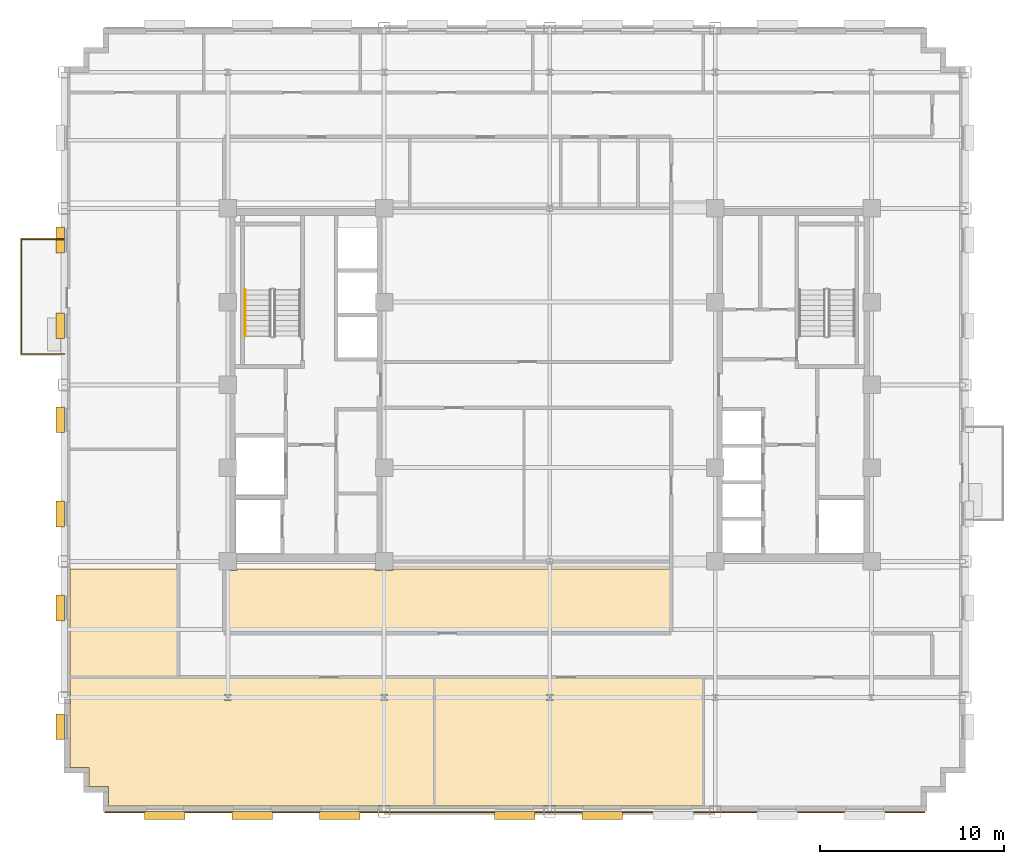
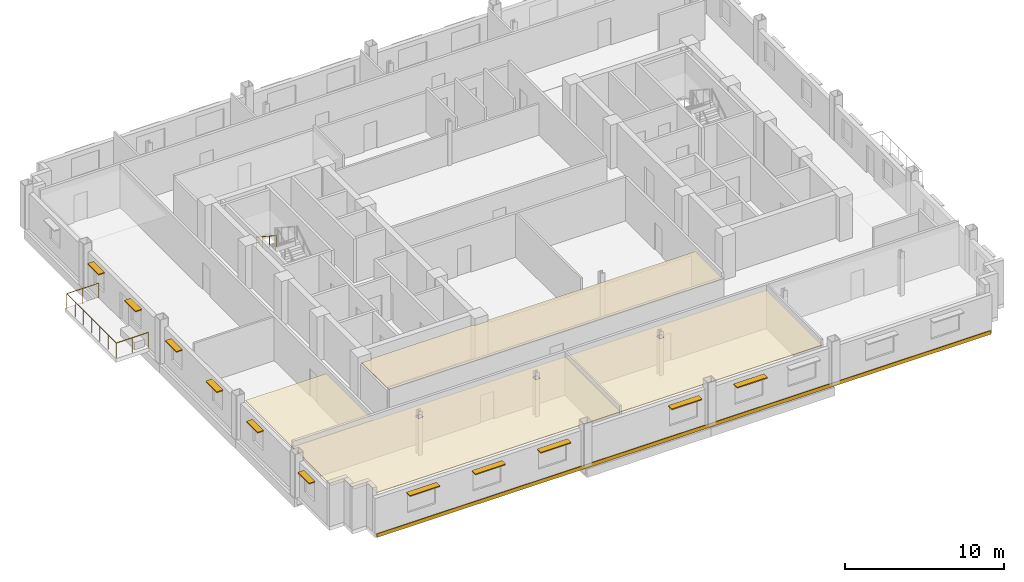
# One storey, part 11 of 14: 11 shading devices, 5 coverings, 2 railings.
"""IFC4 building model written with IfcOpenShell, lengths in metres."""

import ifcopenshell
import ifcopenshell.guid

model = None  # the IFC model being written
_history = None  # IfcOwnerHistory: only IFC2X3 demands one
_inside = {}  # id of a spatial element -> (the spatial element, [elements in it])
_under = {}  # id of a project, library or spatial element -> (it, [spatial elements below it])
_declared = {}  # id of a project -> (the project, [libraries it declares])
_typed = {}  # id of a type object -> (the type object, [elements of that type])
_made_of = {}  # id of a material, layer set ... -> (it, [elements and type objects made of it])


def new_model(schema):
    """Start an empty IFC model of exactly this schema.

    Asked for "IFC4X3", IfcOpenShell would pick the latest addendum, in which some entities
    have other attributes; the version numbers below select the first issue.
    IFC2X3 requires an IfcOwnerHistory on every rooted entity: one is made here for all.
    """
    global model, _history
    if schema == "IFC4X3":
        model = ifcopenshell.file(schema_version=(4, 3, 0, 0))
    else:
        model = ifcopenshell.file(schema=schema)
    _inside.clear()
    _under.clear()
    _declared.clear()
    _typed.clear()
    _made_of.clear()
    _history = None
    if model.schema == "IFC2X3":
        org = make("IfcOrganization", Name="unknown")
        user = make(
            "IfcPersonAndOrganization",
            ThePerson=make("IfcPerson", FamilyName="unknown"),
            TheOrganization=org,
        )
        app = make(
            "IfcApplication",
            ApplicationDeveloper=org,
            Version="unknown",
            ApplicationFullName="unknown",
            ApplicationIdentifier="unknown",
        )
        _history = make(
            "IfcOwnerHistory",
            OwningUser=user,
            OwningApplication=app,
            ChangeAction="ADDED",
            CreationDate=0,
        )
    return model


def make(cls, **values):
    """One entity of the class cls with the attributes given. An attribute that is None is left unset."""
    return model.create_entity(
        cls, **{name: value for name, value in values.items() if value is not None}
    )


def rooted(cls, **values):
    """An entity with a GlobalId (a new one), such as an element, a storey or a relation."""
    return make(cls, GlobalId=ifcopenshell.guid.new(), OwnerHistory=_history, **values)


def si_unit(unit_type, name, prefix=None):
    """IfcSIUnit, for example si_unit("LENGTHUNIT", "METRE", prefix="MILLI")."""
    return make("IfcSIUnit", UnitType=unit_type, Prefix=prefix, Name=name)


def assignment(units):
    """IfcUnitAssignment: the units of a project."""
    return None if units is None else make("IfcUnitAssignment", Units=units)


def point(xyz):
    """IfcCartesianPoint."""
    return None if xyz is None else make("IfcCartesianPoint", Coordinates=xyz)


def direction(xyz):
    """IfcDirection."""
    return None if xyz is None else make("IfcDirection", DirectionRatios=xyz)


def frame(location, z_axis=None, x_axis=None):
    """IfcAxis2Placement3D, a coordinate frame: its origin and axes. An axis left out is left unset."""
    return make(
        "IfcAxis2Placement3D",
        Location=point(location),
        Axis=direction(z_axis),
        RefDirection=direction(x_axis),
    )


def frame_2d(location, x_axis=None):
    """IfcAxis2Placement2D, a coordinate frame in the plane: its origin and x axis."""
    return make(
        "IfcAxis2Placement2D", Location=point(location), RefDirection=direction(x_axis)
    )


def origin():
    """The frame at (0, 0, 0) with its axes left unset."""
    return frame((0.0, 0.0, 0.0))


def origin_2d():
    """The frame at (0, 0) in the plane with its x axis left unset."""
    return frame_2d((0.0, 0.0))


def place(relative_to, where):
    """IfcLocalPlacement: puts the frame where relative to a parent placement (None: the world)."""
    return make(
        "IfcLocalPlacement", PlacementRelTo=relative_to, RelativePlacement=where
    )


def context(
    kind, dimensions, precision=None, world=None, true_north=None, identifier=None
):
    """IfcGeometricRepresentationContext, for example the 3D "Model" context."""
    return make(
        "IfcGeometricRepresentationContext",
        ContextIdentifier=identifier,
        ContextType=kind,
        CoordinateSpaceDimension=dimensions,
        Precision=precision,
        WorldCoordinateSystem=world,
        TrueNorth=true_north,
    )


def subcontext(parent, identifier, kind, view, scale=None):
    """IfcGeometricRepresentationSubContext, for example "Body" below "Model"."""
    return make(
        "IfcGeometricRepresentationSubContext",
        ContextIdentifier=identifier,
        ContextType=kind,
        ParentContext=parent,
        TargetScale=scale,
        TargetView=view,
    )


def project(units=None, contexts=None):
    """IfcProject with its units and contexts."""
    return rooted(
        "IfcProject",
        Name="project",
        RepresentationContexts=contexts,
        UnitsInContext=assignment(units),
    )


def spatial(cls, under=None, at=None, **own):
    """A site, building, storey or space (cls), placed at a placement, below another one or the project."""
    s = rooted(cls, ObjectPlacement=at, **own)
    if under is not None:
        _under.setdefault(under.id(), (under, []))[1].append(s)
    return s


def polyline(points):
    """IfcPolyline through the points."""
    return make("IfcPolyline", Points=[point(p) for p in points])


def profile(cls, at=None, kind="AREA", **sizes):
    """A parametric profile (cls). Its sizes go by their IFC names, for example OverallWidth=200.0."""
    return make(cls, ProfileType=kind, Position=at, **sizes)


def rectangle(**sizes):
    """IfcRectangleProfileDef."""
    return profile("IfcRectangleProfileDef", **sizes)


def circle(**sizes):
    """IfcCircleProfileDef."""
    return profile("IfcCircleProfileDef", **sizes)


def outline(outer, holes=None, kind="AREA"):
    """IfcArbitraryClosedProfileDef: a profile drawn as a closed curve; with holes, ...WithVoids."""
    if holes is None:
        return make("IfcArbitraryClosedProfileDef", ProfileType=kind, OuterCurve=outer)
    return make(
        "IfcArbitraryProfileDefWithVoids",
        ProfileType=kind,
        OuterCurve=outer,
        InnerCurves=holes,
    )


def extrude(swept, where, along, depth):
    """IfcExtrudedAreaSolid: the profile swept, set in the frame where, extruded along a direction by depth."""
    return make(
        "IfcExtrudedAreaSolid",
        SweptArea=swept,
        Position=where,
        ExtrudedDirection=direction(along),
        Depth=depth,
    )


def shape(context_of_items, identifier, shape_type, items):
    """IfcShapeRepresentation: the items that make up one representation, for example the "Body"."""
    return make(
        "IfcShapeRepresentation",
        ContextOfItems=context_of_items,
        RepresentationIdentifier=identifier,
        RepresentationType=shape_type,
        Items=items,
    )


def source(mapping_origin, context_of_items, identifier, shape_type, items):
    """IfcRepresentationMap: a shape defined once, which mapped items show again and again."""
    return make(
        "IfcRepresentationMap",
        MappingOrigin=mapping_origin,
        MappedRepresentation=shape(context_of_items, identifier, shape_type, items),
    )


def transform(
    local_origin,
    x_axis=None,
    y_axis=None,
    z_axis=None,
    scale=None,
    scale2=None,
    scale3=None,
    uniform=True,
):
    """IfcCartesianTransformationOperator3D, or its non-uniform kind. x_axis, y_axis, z_axis: its Axis1, 2, 3."""
    if uniform:
        return make(
            "IfcCartesianTransformationOperator3D",
            Axis1=direction(x_axis),
            Axis2=direction(y_axis),
            LocalOrigin=point(local_origin),
            Scale=scale,
            Axis3=direction(z_axis),
        )
    return make(
        "IfcCartesianTransformationOperator3DnonUniform",
        Axis1=direction(x_axis),
        Axis2=direction(y_axis),
        LocalOrigin=point(local_origin),
        Scale=scale,
        Axis3=direction(z_axis),
        Scale2=scale2,
        Scale3=scale3,
    )


def mapped(mapping_source, mapping_target):
    """IfcMappedItem: shows the shape of a source again, moved by a transform."""
    return make(
        "IfcMappedItem", MappingSource=mapping_source, MappingTarget=mapping_target
    )


def material(Name=None, Category=None):
    """IfcMaterial."""
    return make("IfcMaterial", Name=Name, Category=Category)


def layer(
    of_material, thickness, ventilated=None, Name=None, Category=None, Priority=None
):
    """IfcMaterialLayer: one layer of a wall or slab, of a material (None: an air gap)."""
    return make(
        "IfcMaterialLayer",
        Material=of_material,
        LayerThickness=thickness,
        IsVentilated=ventilated,
        Name=Name,
        Category=Category,
        Priority=Priority,
    )


def layer_set(layers, Name=None):
    """IfcMaterialLayerSet."""
    return make("IfcMaterialLayerSet", MaterialLayers=layers, LayerSetName=Name)


def made_of(thing, what):
    """Note that an element or type object is made of a material, layer set ...; save() writes the relation."""
    if what is not None:
        _made_of.setdefault(what.id(), (what, []))[1].append(thing)
    return thing


def type_object(cls, material=None, **own):
    """A type object (cls), such as IfcWallType, which elements share."""
    return made_of(rooted(cls, **own), material)


def type_shapes(of_type, sources):
    """Give a type object the sources (RepresentationMaps) that its elements show as mapped items."""
    of_type.RepresentationMaps = sources


def element(
    cls,
    number,
    at=None,
    inside=None,
    cuts=None,
    type_object=None,
    material=None,
    context=None,
    identifier="Body",
    shape_type=None,
    held_by="IfcProductDefinitionShape",
    body=None,
    shapes=None,
    **own,
):
    """One element of the class cls, such as IfcWall. Its Tag is "e" and its number.

    at: its placement. inside: the storey or other place that contains it. cuts: it is an
    opening in that element (IfcRelVoidsElement). A single representation is given by context,
    identifier, shape_type and body (its items); several are given by shapes. held_by: the class
    of the entity that holds the representations. save() writes the other relations.
    """
    e = rooted(cls, Tag="e%d" % number, ObjectPlacement=at, **own)
    if body is not None:
        shapes = [shape(context, identifier, shape_type, body)]
    if shapes is not None:
        e.Representation = make(held_by, Representations=shapes)
    if inside is not None:
        _inside.setdefault(inside.id(), (inside, []))[1].append(e)
    if cuts is not None:
        rooted(
            "IfcRelVoidsElement", RelatingBuildingElement=cuts, RelatedOpeningElement=e
        )
    if type_object is not None:
        _typed.setdefault(type_object.id(), (type_object, []))[1].append(e)
    return made_of(e, material)


def aggregate(whole, parts):
    """IfcRelAggregates: a whole, such as a stair, and the parts it consists of."""
    return rooted("IfcRelAggregates", RelatingObject=whole, RelatedObjects=parts)


def save(model, path):
    """Write the relations noted so far, then the file.

    IfcRelAggregates (storeys below a building ...), IfcRelContainedInSpatialStructure (elements
    in a storey), IfcRelDefinesByType, IfcRelAssociatesMaterial and IfcRelDeclares: one each for
    every whole, place, type object, material and project.
    """
    for whole, parts in _under.values():
        aggregate(whole, parts)
    for where, things in _inside.values():
        rooted(
            "IfcRelContainedInSpatialStructure",
            RelatedElements=things,
            RelatingStructure=where,
        )
    for kind, things in _typed.values():
        rooted("IfcRelDefinesByType", RelatedObjects=things, RelatingType=kind)
    for what, things in _made_of.values():
        rooted("IfcRelAssociatesMaterial", RelatedObjects=things, RelatingMaterial=what)
    for by, libraries in _declared.values():
        rooted("IfcRelDeclares", RelatingContext=by, RelatedDefinitions=libraries)
    model.write(path)


model = new_model("IFC4")

# Units and contexts
model_context = context("Model", 3, precision=1e-05, world=origin(), true_north=direction((0.0, 1.0)))
body_context = subcontext(model_context, "Body", "Model", "MODEL_VIEW")
ifc_project = project(units=[si_unit("LENGTHUNIT", "METRE"), si_unit("AREAUNIT", "SQUARE_METRE"), si_unit("VOLUMEUNIT", "CUBIC_METRE"), si_unit("PLANEANGLEUNIT", "RADIAN"), si_unit("MASSUNIT", "GRAM", prefix="KILO")], contexts=[model_context])

# Site, building, storey
site_placement = place(None, origin())
site = spatial("IfcSite", under=ifc_project, at=site_placement, CompositionType="ELEMENT")
building_placement = place(site_placement, origin())
building = spatial("IfcBuilding", under=site, at=building_placement, Name="Nuvemarco Arch Tower", CompositionType="ELEMENT")
storey_placement = place(building_placement, frame((0.0, 0.0, 171.300048828125)))
storey = spatial("IfcBuildingStorey", under=building, at=storey_placement, Name="L45", CompositionType="ELEMENT", Elevation=171.300048828125)

# Coverings
ifc_material_1 = material(Name="Mineral acoustic ceiling tile")
ifc_layer_1 = layer(ifc_material_1, 0.0400390625, Name="COV-ACOUSTIC-CLG")
ifc_layer_set_1 = layer_set([ifc_layer_1], Name="Mineral acoustic ceiling tile")
covering_type_1 = type_object("IfcCoveringType", Name="COV-ACOUSTIC-CLG", PredefinedType="CEILING", material=ifc_layer_set_1)
covering_1_placement = place(storey_placement, frame((0.0, 0.0, 2.849853515625)))
element("IfcCovering", 1, at=covering_1_placement, inside=storey, type_object=covering_type_1, Name="L45 suspended acoustic ceiling 1", PredefinedType="CEILING", context=body_context, shape_type="SweptSolid", body=[
    extrude(outline(polyline([(-26.090087890625, -20.7900390625), (-26.090087890625, -17.340087890625), (-26.06005859375, -17.340087890625), (-26.06005859375, -16.659912109375), (-26.090087890625, -16.659912109375), (-26.090087890625, -15.89990234375), (-20.199951171875, -15.89990234375), (-17.699951171875, -15.89990234375), (-6.280029296875, -15.89990234375), (-6.280029296875, -22.889892578125), (-8.659912109375, -22.889892578125), (-8.659912109375, -22.860107421875), (-9.340087890625, -22.860107421875), (-9.340087890625, -22.889892578125), (-23.989990234375, -22.889892578125), (-23.989990234375, -21.840087890625), (-25.0400390625, -21.840087890625), (-25.0400390625, -20.7900390625), (-26.090087890625, -20.7900390625)]), holes=[polyline([(-17.330078125, -16.830078125), (-17.669921875, -16.830078125), (-17.669921875, -17.169921875), (-17.330078125, -17.169921875), (-17.330078125, -16.830078125)]), polyline([(-8.830078125, -17.169921875), (-8.830078125, -16.830078125), (-9.169921875, -16.830078125), (-9.169921875, -17.169921875), (-8.830078125, -17.169921875)])]), origin(), (0.0, 0.0, 1.0), 0.0400390625),
])
covering_2_placement = place(storey_placement, frame((0.0, 0.0, 2.849853515625)))
element("IfcCovering", 2, at=covering_2_placement, inside=storey, type_object=covering_type_1, Name="L45 suspended acoustic ceiling 4", PredefinedType="CEILING", context=body_context, shape_type="SweptSolid", body=[
    extrude(outline(polyline([(8.35009765625, -22.889892578125), (0.340087890625, -22.889892578125), (0.340087890625, -22.860107421875), (-0.340087890625, -22.860107421875), (-0.340087890625, -22.889892578125), (-6.280029296875, -22.889892578125), (-6.280029296875, -15.89990234375), (6.60009765625, -15.89990234375), (8.35009765625, -15.89990234375), (8.35009765625, -22.889892578125)]), holes=[polyline([(0.169921875, -17.169921875), (0.169921875, -16.830078125), (-0.169921875, -16.830078125), (-0.169921875, -17.169921875), (0.169921875, -17.169921875)])]), origin(), (0.0, 0.0, 1.0), 0.0400390625),
])
covering_3_placement = place(storey_placement, frame((0.0, 0.0, 2.849853515625)))
element("IfcCovering", 3, at=covering_3_placement, inside=storey, type_object=covering_type_1, Name="L45 suspended acoustic ceiling 5", PredefinedType="CEILING", context=body_context, shape_type="SweptSolid", body=[
    extrude(outline(polyline([(-9.489990234375, -10.090087890625), (-8.510009765625, -10.090087890625), (-8.510009765625, -10.0), (6.60009765625, -10.0), (6.60009765625, -13.5), (-17.699951171875, -13.5), (-17.699951171875, -10.090087890625), (-17.010009765625, -10.090087890625), (-17.010009765625, -10.0), (-9.489990234375, -10.0), (-9.489990234375, -10.090087890625)])), origin(), (0.0, 0.0, 1.0), 0.0400390625),
])
covering_4_placement = place(storey_placement, frame((0.0, 0.0, 2.849853515625)))
element("IfcCovering", 4, at=covering_4_placement, inside=storey, type_object=covering_type_1, Name="L45 suspended acoustic ceiling 7", PredefinedType="CEILING", context=body_context, shape_type="SweptSolid", body=[
    extrude(outline(polyline([(-20.199951171875, -13.5), (-20.199951171875, -15.89990234375), (-26.090087890625, -15.89990234375), (-26.090087890625, -10.0), (-20.199951171875, -10.0), (-20.199951171875, -13.5)])), origin(), (0.0, 0.0, 1.0), 0.0400390625),
])

# Railings
ifc_material_2 = material(Name="Brushed stainless steel handrail", Category="steel")
railing_type_1 = type_object("IfcRailingType", Name="RL-HANDRAIL-900", PredefinedType="HANDRAIL", material=ifc_material_2)
railing_1_placement = place(storey_placement, frame((-16.550048828125, 5.169921875, 2.007568359375)))
element("IfcRailing", 5, at=railing_1_placement, inside=storey, type_object=railing_type_1, Name="L45 ST-1 stair handrail 2", PredefinedType="HANDRAIL", context=body_context, shape_type="SweptSolid", body=[
    extrude(circle(Radius=0.02392578125, at=origin_2d()), frame((0.0, 0.0, 0.8759765625), z_axis=(0.0, -0.837786554691, 0.545997883492), x_axis=(1.0, 0.0, 0.0)), (0.0, 0.0, 1.0), 3.008056640625),
    extrude(circle(Radius=0.02099609375, at=origin_2d()), origin(), (0.0, 0.0, 1.0), 0.851806640625),
    extrude(circle(Radius=0.02099609375, at=origin_2d()), frame((0.0, -0.840087890625, 0.54736328125)), (0.0, 0.0, 1.0), 0.851806640625),
    extrude(circle(Radius=0.02099609375, at=origin_2d()), frame((0.0, -1.679931640625, 1.094970703125)), (0.0, 0.0, 1.0), 0.851806640625),
    extrude(circle(Radius=0.02099609375, at=origin_2d()), frame((0.0, -2.52001953125, 1.642333984375)), (0.0, 0.0, 1.0), 0.851806640625),
])
ifc_material_3 = material(Name="Dark anodised balustrade steel S355", Category="steel")
railing_type_2 = type_object("IfcRailingType", Name="RL-TERR-GUARD", PredefinedType="BALUSTRADE", material=ifc_material_3)
railing_2_placement = place(storey_placement, frame((-26.39990234375, 1.679931640625, 0.0)))
element("IfcRailing", 6, at=railing_2_placement, inside=storey, type_object=railing_type_2, Name="L45 spiral terrace perimeter balustrade guard", PredefinedType="BALUSTRADE", context=body_context, shape_type="SweptSolid", body=[
    extrude(circle(Radius=0.02392578125, at=origin_2d()), frame((0.0, 0.0, 1.1259765625), z_axis=(-1.0, 0.0, 0.0), x_axis=(0.0, -1.0, 0.0)), (0.0, 0.0, 1.0), 2.320068359375),
    extrude(circle(Radius=0.02392578125, at=origin_2d()), frame((-2.320068359375, 0.0, 1.1259765625), z_axis=(0.0, 1.0, 0.0), x_axis=(-1.0, 0.0, 0.0)), (0.0, 0.0, 1.0), 6.239990234375),
    extrude(circle(Radius=0.02392578125, at=origin_2d()), frame((-2.320068359375, 6.239990234375, 1.1259765625), z_axis=(1.0, 0.0, 0.0), x_axis=(0.0, 1.0, 0.0)), (0.0, 0.0, 1.0), 2.320068359375),
    extrude(circle(Radius=0.02099609375, at=origin_2d()), origin(), (0.0, 0.0, 1.0), 1.101806640625),
    extrude(circle(Radius=0.02099609375, at=origin_2d()), frame((-1.16015625, 0.0, 0.0)), (0.0, 0.0, 1.0), 1.101806640625),
    extrude(circle(Radius=0.02099609375, at=origin_2d()), frame((-2.320068359375, 0.0, 0.0)), (0.0, 0.0, 1.0), 1.101806640625),
    extrude(circle(Radius=0.02099609375, at=origin_2d()), frame((-2.320068359375, 1.0400390625, 0.0)), (0.0, 0.0, 1.0), 1.101806640625),
    extrude(circle(Radius=0.02099609375, at=origin_2d()), frame((-2.320068359375, 2.080078125, 0.0)), (0.0, 0.0, 1.0), 1.101806640625),
    extrude(circle(Radius=0.02099609375, at=origin_2d()), frame((-2.320068359375, 3.1201171875, 0.0)), (0.0, 0.0, 1.0), 1.101806640625),
    extrude(circle(Radius=0.02099609375, at=origin_2d()), frame((-2.320068359375, 4.159912109375, 0.0)), (0.0, 0.0, 1.0), 1.101806640625),
    extrude(circle(Radius=0.02099609375, at=origin_2d()), frame((-2.320068359375, 5.199951171875, 0.0)), (0.0, 0.0, 1.0), 1.101806640625),
    extrude(circle(Radius=0.02099609375, at=origin_2d()), frame((-2.320068359375, 6.239990234375, 0.0)), (0.0, 0.0, 1.0), 1.101806640625),
    extrude(circle(Radius=0.02099609375, at=origin_2d()), frame((-1.16015625, 6.239990234375, 0.0)), (0.0, 0.0, 1.0), 1.101806640625),
    extrude(circle(Radius=0.02099609375, at=origin_2d()), frame((0.0, 6.239990234375, 0.0)), (0.0, 0.0, 1.0), 1.101806640625),
])

# Shading devices
ifc_material_4 = material(Name="Anodised aluminium 6063-T6", Category="aluminium")
shading_device_type_1 = type_object("IfcShadingDeviceType", Name="SHD-BRISE-SOLEIL", PredefinedType="USERDEFINED", material=ifc_material_4)
shared_shape_1 = source(origin(), body_context, "Body", "SweptSolid", [
    extrude(rectangle(XDim=2.199951171875, YDim=0.449951171875, at=origin_2d()), origin(), (0.0, 0.0, 1.0), 0.080078125),
])
type_shapes(shading_device_type_1, [shared_shape_1])
for number, where, z_axis, x_axis, name in (
    (7, (-20.922119140625, -23.4150390625, 2.324951171875), (0.0, 0.0, 1.0), (1.0, 0.0, 0.0), "L45 horizontal brise-soleil sunshade"),
    (8, (-16.166748046875, -23.4150390625, 2.324951171875), (0.0, 0.0, 1.0), (1.0, 0.0, 0.0), "L45 horizontal brise-soleil sunshade"),
    (9, (-11.4111328125, -23.4150390625, 2.324951171875), (0.0, 0.0, 1.0), (1.0, 0.0, 0.0), "L45 horizontal brise-soleil sunshade"),
    (10, (-1.89990234375, -23.4150390625, 2.324951171875), (0.0, 0.0, 1.0), (1.0, 0.0, 0.0), "L45 horizontal brise-soleil sunshade"),
    (11, (2.855712890625, -23.4150390625, 2.324951171875), (0.0, 0.0, 1.0), (1.0, 0.0, 0.0), "L45 horizontal brise-soleil sunshade"),
):
    element("IfcShadingDevice", number, at=place(storey_placement, frame(where, z_axis=z_axis, x_axis=x_axis)), inside=storey, type_object=shading_device_type_1, Name=name, ObjectType="SUNSHADE", PredefinedType="USERDEFINED", context=body_context, shape_type="MappedRepresentation", body=[
        mapped(shared_shape_1, transform((0.0, 0.0, 0.0), scale=1.0)),
    ])
shading_device_type_2 = type_object("IfcShadingDeviceType", Name="SHD-BRISE-NARROW", PredefinedType="USERDEFINED", material=ifc_material_4)
shared_shape_2 = source(origin(), body_context, "Body", "SweptSolid", [
    extrude(rectangle(XDim=1.39990234375, YDim=0.449951171875, at=origin_2d()), origin(), (0.0, 0.0, 1.0), 0.080078125),
])
type_shapes(shading_device_type_2, [shared_shape_2])
for number, where, z_axis, x_axis, name in (
    (12, (-26.614990234375, -18.587646484375, 2.324951171875), (0.0, 0.0, 1.0), (0.0, 1.0, 0.0), "L45 horizontal brise-soleil sunshade"),
    (13, (-26.614990234375, -12.125, 2.324951171875), (0.0, 0.0, 1.0), (0.0, 1.0, 0.0), "L45 horizontal brise-soleil sunshade"),
    (14, (-26.614990234375, -7.0126953125, 2.324951171875), (0.0, 0.0, 1.0), (0.0, 1.0, 0.0), "L45 horizontal brise-soleil sunshade"),
    (15, (-26.614990234375, -1.89990234375, 2.324951171875), (0.0, 0.0, 1.0), (0.0, 1.0, 0.0), "L45 horizontal brise-soleil sunshade"),
    (16, (-26.614990234375, 3.212646484375, 2.324951171875), (0.0, 0.0, 1.0), (0.0, 1.0, 0.0), "L45 horizontal brise-soleil sunshade"),
    (17, (-26.614990234375, 7.875, 2.324951171875), (0.0, 0.0, 1.0), (0.0, 1.0, 0.0), "L45 horizontal brise-soleil sunshade"),
):
    element("IfcShadingDevice", number, at=place(storey_placement, frame(where, z_axis=z_axis, x_axis=x_axis)), inside=storey, type_object=shading_device_type_2, Name=name, ObjectType="SUNSHADE", PredefinedType="USERDEFINED", context=body_context, shape_type="MappedRepresentation", body=[
        mapped(shared_shape_2, transform((0.0, 0.0, 0.0), scale=1.0)),
    ])

# Covering
ifc_material_5 = material(Name="Precast concrete C45/55", Category="concrete")
ifc_layer_2 = layer(ifc_material_5, 0.06005859375, Name="COV-SPANDREL-CLAD")
ifc_layer_set_2 = layer_set([ifc_layer_2], Name="Precast concrete C45/55")
covering_type_2 = type_object("IfcCoveringType", Name="COV-SPANDREL-CLAD", PredefinedType="CLADDING", material=ifc_layer_set_2)
shared_shape_3 = source(origin(), body_context, "Body", "SweptSolid", [
    extrude(rectangle(XDim=44.60009765625, YDim=0.06005859375, at=origin_2d()), origin(), (0.0, 0.0, 1.0), 0.280029296875),
])
type_shapes(covering_type_2, [shared_shape_3])
covering_5_placement = place(storey_placement, frame((-1.89990234375, -23.22900390625, -0.2802734375), z_axis=(0.0, 0.0, 1.0), x_axis=(1.0, 0.0, 0.0)))
element("IfcCovering", 18, at=covering_5_placement, inside=storey, type_object=covering_type_2, Name="L45 precast spandrel edge cladding south", PredefinedType="CLADDING", context=body_context, shape_type="MappedRepresentation", body=[
    mapped(shared_shape_3, transform((0.0, 0.0, 0.0), scale=1.0)),
])

save(model, "model.ifc")
